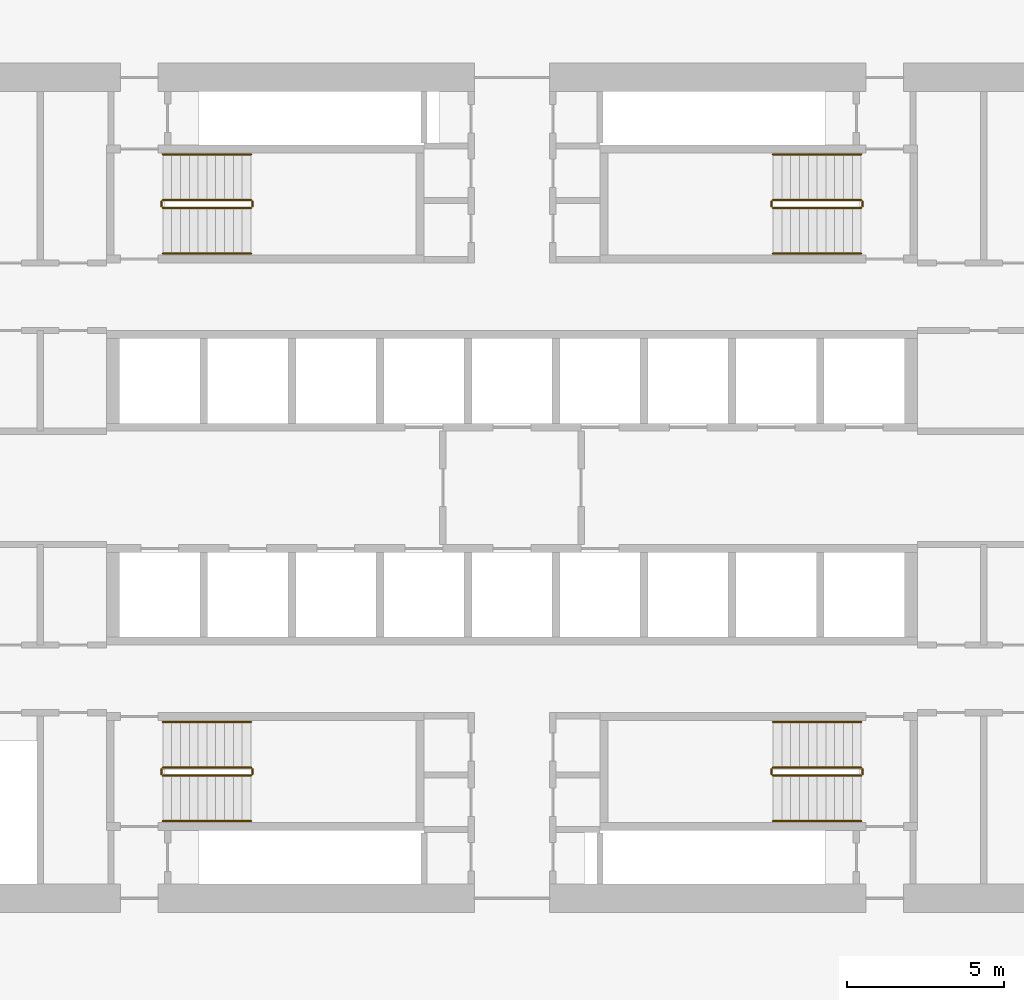
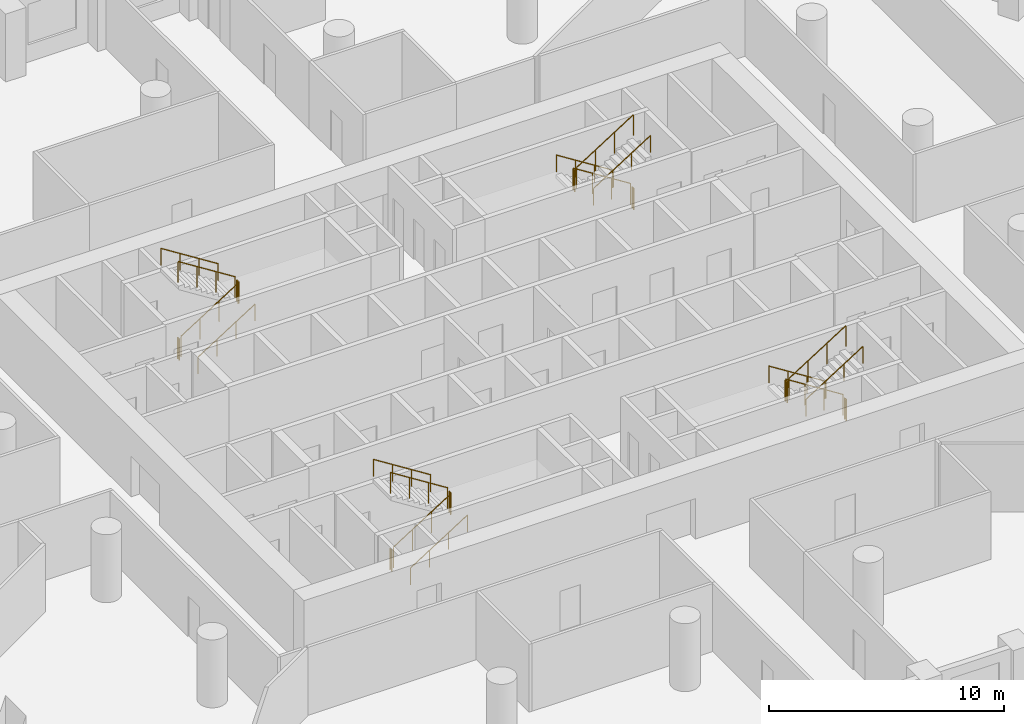
# One storey, part 10 of 10: 24 railings.
"""IFC4 building model written with IfcOpenShell, lengths in metres."""

from ifc_helpers import new_model, si_unit, direction, frame, origin, origin_2d, place, context, subcontext, project, spatial, circle, extrude, material, type_object, element, save


model = new_model("IFC4")

# Units and contexts
model_context = context("Model", 3, precision=1e-05, world=origin(), true_north=direction((0.0, 1.0)))
body_context = subcontext(model_context, "Body", "Model", "MODEL_VIEW")
ifc_project = project(units=[si_unit("LENGTHUNIT", "METRE"), si_unit("AREAUNIT", "SQUARE_METRE"), si_unit("VOLUMEUNIT", "CUBIC_METRE"), si_unit("PLANEANGLEUNIT", "RADIAN"), si_unit("MASSUNIT", "GRAM", prefix="KILO")], contexts=[model_context])

# Site, building, storey
site_placement = place(None, origin())
site = spatial("IfcSite", under=ifc_project, at=site_placement, CompositionType="ELEMENT")
building_placement = place(site_placement, origin())
building = spatial("IfcBuilding", under=site, at=building_placement, Name="Dhurran Vertical Campus", CompositionType="ELEMENT")
storey_placement = place(building_placement, frame((0.0, 0.0, 108.60009765625)))
storey = spatial("IfcBuildingStorey", under=building, at=storey_placement, Name="L26", CompositionType="ELEMENT", Elevation=108.60009765625)

# Railings
ifc_material_1 = material(Name="Stainless steel balustrade", Category="steel")
railing_type_1 = type_object("IfcRailingType", Name="co-RL-GUARD-1100", PredefinedType="GUARDRAIL", material=ifc_material_1)
railing_1_placement = place(storey_placement, frame((-11.10009765625, 8.89990234375, 0.17724609375)))
element("IfcRailing", 1, at=railing_1_placement, inside=storey, type_object=railing_type_1, Name="L26 ST1 stair guard 1", PredefinedType="GUARDRAIL", context=body_context, shape_type="SweptSolid", body=[
    extrude(circle(Radius=0.02392578125, at=origin_2d()), frame((0.0, 0.0, 1.076171875), z_axis=(0.844908973607, 0.0, 0.534910110503), x_axis=(0.0, 1.0, 0.0)), (0.0, 0.0, 1.0), 3.31396484375),
    extrude(circle(Radius=0.02099609375, at=origin_2d()), origin(), (0.0, 0.0, 1.0), 1.052001953125),
    extrude(circle(Radius=0.02099609375, at=origin_2d()), frame((0.933349609375, 0.0, 0.5908203125)), (0.0, 0.0, 1.0), 1.052001953125),
    extrude(circle(Radius=0.02099609375, at=origin_2d()), frame((1.86669921875, 0.0, 1.181884765625)), (0.0, 0.0, 1.0), 1.052001953125),
    extrude(circle(Radius=0.02099609375, at=origin_2d()), frame((2.800048828125, 0.0, 1.772705078125)), (0.0, 0.0, 1.0), 1.052001953125),
])
railing_2_placement = place(storey_placement, frame((-8.25, 8.949951171875, 1.949951171875)))
element("IfcRailing", 2, at=railing_2_placement, inside=storey, type_object=railing_type_1, Name="L26 ST1 stair guard 2", PredefinedType="GUARDRAIL", context=body_context, shape_type="SweptSolid", body=[
    extrude(circle(Radius=0.02392578125, at=origin_2d()), frame((0.0, 0.0, 1.076171875), z_axis=(0.0, 1.0, 0.0), x_axis=(-1.0, 0.0, 0.0)), (0.0, 0.0, 1.0), 0.150146484375),
    extrude(circle(Radius=0.02099609375, at=origin_2d()), origin(), (0.0, 0.0, 1.0), 1.052001953125),
    extrude(circle(Radius=0.02099609375, at=origin_2d()), frame((0.0, 0.150146484375, 0.0)), (0.0, 0.0, 1.0), 1.052001953125),
])
railing_3_placement = place(storey_placement, frame((-8.300048828125, 9.14990234375, 2.127197265625)))
element("IfcRailing", 3, at=railing_3_placement, inside=storey, type_object=railing_type_1, Name="L26 ST1 stair guard 3", PredefinedType="GUARDRAIL", context=body_context, shape_type="SweptSolid", body=[
    extrude(circle(Radius=0.02392578125, at=origin_2d()), frame((0.0, 0.0, 1.076171875), z_axis=(-0.844908973607, 0.0, 0.534910110503), x_axis=(0.0, -1.0, 0.0)), (0.0, 0.0, 1.0), 3.31396484375),
    extrude(circle(Radius=0.02099609375, at=origin_2d()), origin(), (0.0, 0.0, 1.0), 1.052001953125),
    extrude(circle(Radius=0.02099609375, at=origin_2d()), frame((-0.933349609375, 0.0, 0.5908203125)), (0.0, 0.0, 1.0), 1.052001953125),
    extrude(circle(Radius=0.02099609375, at=origin_2d()), frame((-1.86669921875, 0.0, 1.181884765625)), (0.0, 0.0, 1.0), 1.052001953125),
    extrude(circle(Radius=0.02099609375, at=origin_2d()), frame((-2.800048828125, 0.0, 1.772705078125)), (0.0, 0.0, 1.0), 1.052001953125),
])
railing_4_placement = place(storey_placement, frame((-11.14990234375, 8.949951171875, 0.0)))
element("IfcRailing", 4, at=railing_4_placement, inside=storey, type_object=railing_type_1, Name="L26 ST1 stair guard 4", PredefinedType="GUARDRAIL", context=body_context, shape_type="SweptSolid", body=[
    extrude(circle(Radius=0.02392578125, at=origin_2d()), frame((0.0, 0.0, 1.076171875), z_axis=(0.0, 1.0, 0.0), x_axis=(-1.0, 0.0, 0.0)), (0.0, 0.0, 1.0), 0.150146484375),
    extrude(circle(Radius=0.02099609375, at=origin_2d()), origin(), (0.0, 0.0, 1.0), 1.052001953125),
    extrude(circle(Radius=0.02099609375, at=origin_2d()), frame((0.0, 0.150146484375, 0.0)), (0.0, 0.0, 1.0), 1.052001953125),
])
railing_5_placement = place(storey_placement, frame((11.10009765625, 9.14990234375, 0.17724609375)))
element("IfcRailing", 5, at=railing_5_placement, inside=storey, type_object=railing_type_1, Name="L26 ST2 stair guard 1", PredefinedType="GUARDRAIL", context=body_context, shape_type="SweptSolid", body=[
    extrude(circle(Radius=0.02392578125, at=origin_2d()), frame((0.0, 0.0, 1.076171875), z_axis=(-0.844908973607, 0.0, 0.534910110503), x_axis=(0.0, -1.0, 0.0)), (0.0, 0.0, 1.0), 3.31396484375),
    extrude(circle(Radius=0.02099609375, at=origin_2d()), origin(), (0.0, 0.0, 1.0), 1.052001953125),
    extrude(circle(Radius=0.02099609375, at=origin_2d()), frame((-0.933349609375, 0.0, 0.5908203125)), (0.0, 0.0, 1.0), 1.052001953125),
    extrude(circle(Radius=0.02099609375, at=origin_2d()), frame((-1.86669921875, 0.0, 1.181884765625)), (0.0, 0.0, 1.0), 1.052001953125),
    extrude(circle(Radius=0.02099609375, at=origin_2d()), frame((-2.800048828125, 0.0, 1.772705078125)), (0.0, 0.0, 1.0), 1.052001953125),
])
railing_6_placement = place(storey_placement, frame((8.25, 9.10009765625, 1.949951171875)))
element("IfcRailing", 6, at=railing_6_placement, inside=storey, type_object=railing_type_1, Name="L26 ST2 stair guard 2", PredefinedType="GUARDRAIL", context=body_context, shape_type="SweptSolid", body=[
    extrude(circle(Radius=0.02392578125, at=origin_2d()), frame((0.0, 0.0, 1.076171875), z_axis=(0.0, -1.0, 0.0), x_axis=(1.0, 0.0, 0.0)), (0.0, 0.0, 1.0), 0.150146484375),
    extrude(circle(Radius=0.02099609375, at=origin_2d()), origin(), (0.0, 0.0, 1.0), 1.052001953125),
    extrude(circle(Radius=0.02099609375, at=origin_2d()), frame((0.0, -0.150146484375, 0.0)), (0.0, 0.0, 1.0), 1.052001953125),
])
railing_7_placement = place(storey_placement, frame((8.300048828125, 8.89990234375, 2.127197265625)))
element("IfcRailing", 7, at=railing_7_placement, inside=storey, type_object=railing_type_1, Name="L26 ST2 stair guard 3", PredefinedType="GUARDRAIL", context=body_context, shape_type="SweptSolid", body=[
    extrude(circle(Radius=0.02392578125, at=origin_2d()), frame((0.0, 0.0, 1.076171875), z_axis=(0.844908973607, 0.0, 0.534910110503), x_axis=(0.0, 1.0, 0.0)), (0.0, 0.0, 1.0), 3.31396484375),
    extrude(circle(Radius=0.02099609375, at=origin_2d()), origin(), (0.0, 0.0, 1.0), 1.052001953125),
    extrude(circle(Radius=0.02099609375, at=origin_2d()), frame((0.933349609375, 0.0, 0.5908203125)), (0.0, 0.0, 1.0), 1.052001953125),
    extrude(circle(Radius=0.02099609375, at=origin_2d()), frame((1.86669921875, 0.0, 1.181884765625)), (0.0, 0.0, 1.0), 1.052001953125),
    extrude(circle(Radius=0.02099609375, at=origin_2d()), frame((2.800048828125, 0.0, 1.772705078125)), (0.0, 0.0, 1.0), 1.052001953125),
])
railing_8_placement = place(storey_placement, frame((11.14990234375, 9.10009765625, 0.0)))
element("IfcRailing", 8, at=railing_8_placement, inside=storey, type_object=railing_type_1, Name="L26 ST2 stair guard 4", PredefinedType="GUARDRAIL", context=body_context, shape_type="SweptSolid", body=[
    extrude(circle(Radius=0.02392578125, at=origin_2d()), frame((0.0, 0.0, 1.076171875), z_axis=(0.0, -1.0, 0.0), x_axis=(1.0, 0.0, 0.0)), (0.0, 0.0, 1.0), 0.150146484375),
    extrude(circle(Radius=0.02099609375, at=origin_2d()), origin(), (0.0, 0.0, 1.0), 1.052001953125),
    extrude(circle(Radius=0.02099609375, at=origin_2d()), frame((0.0, -0.150146484375, 0.0)), (0.0, 0.0, 1.0), 1.052001953125),
])
railing_9_placement = place(storey_placement, frame((-11.10009765625, -9.14990234375, 0.17724609375)))
element("IfcRailing", 9, at=railing_9_placement, inside=storey, type_object=railing_type_1, Name="L26 ST3 stair guard 1", PredefinedType="GUARDRAIL", context=body_context, shape_type="SweptSolid", body=[
    extrude(circle(Radius=0.02392578125, at=origin_2d()), frame((0.0, 0.0, 1.076171875), z_axis=(0.844908973607, 0.0, 0.534910110503), x_axis=(0.0, 1.0, 0.0)), (0.0, 0.0, 1.0), 3.31396484375),
    extrude(circle(Radius=0.02099609375, at=origin_2d()), origin(), (0.0, 0.0, 1.0), 1.052001953125),
    extrude(circle(Radius=0.02099609375, at=origin_2d()), frame((0.933349609375, 0.0, 0.5908203125)), (0.0, 0.0, 1.0), 1.052001953125),
    extrude(circle(Radius=0.02099609375, at=origin_2d()), frame((1.86669921875, 0.0, 1.181884765625)), (0.0, 0.0, 1.0), 1.052001953125),
    extrude(circle(Radius=0.02099609375, at=origin_2d()), frame((2.800048828125, 0.0, 1.772705078125)), (0.0, 0.0, 1.0), 1.052001953125),
])
railing_10_placement = place(storey_placement, frame((-8.25, -9.10009765625, 1.949951171875)))
element("IfcRailing", 10, at=railing_10_placement, inside=storey, type_object=railing_type_1, Name="L26 ST3 stair guard 2", PredefinedType="GUARDRAIL", context=body_context, shape_type="SweptSolid", body=[
    extrude(circle(Radius=0.02392578125, at=origin_2d()), frame((0.0, 0.0, 1.076171875), z_axis=(0.0, 1.0, 0.0), x_axis=(-1.0, 0.0, 0.0)), (0.0, 0.0, 1.0), 0.150146484375),
    extrude(circle(Radius=0.02099609375, at=origin_2d()), origin(), (0.0, 0.0, 1.0), 1.052001953125),
    extrude(circle(Radius=0.02099609375, at=origin_2d()), frame((0.0, 0.150146484375, 0.0)), (0.0, 0.0, 1.0), 1.052001953125),
])
railing_11_placement = place(storey_placement, frame((-8.300048828125, -8.89990234375, 2.127197265625)))
element("IfcRailing", 11, at=railing_11_placement, inside=storey, type_object=railing_type_1, Name="L26 ST3 stair guard 3", PredefinedType="GUARDRAIL", context=body_context, shape_type="SweptSolid", body=[
    extrude(circle(Radius=0.02392578125, at=origin_2d()), frame((0.0, 0.0, 1.076171875), z_axis=(-0.844908973607, 0.0, 0.534910110503), x_axis=(0.0, -1.0, 0.0)), (0.0, 0.0, 1.0), 3.31396484375),
    extrude(circle(Radius=0.02099609375, at=origin_2d()), origin(), (0.0, 0.0, 1.0), 1.052001953125),
    extrude(circle(Radius=0.02099609375, at=origin_2d()), frame((-0.933349609375, 0.0, 0.5908203125)), (0.0, 0.0, 1.0), 1.052001953125),
    extrude(circle(Radius=0.02099609375, at=origin_2d()), frame((-1.86669921875, 0.0, 1.181884765625)), (0.0, 0.0, 1.0), 1.052001953125),
    extrude(circle(Radius=0.02099609375, at=origin_2d()), frame((-2.800048828125, 0.0, 1.772705078125)), (0.0, 0.0, 1.0), 1.052001953125),
])
railing_12_placement = place(storey_placement, frame((-11.14990234375, -9.10009765625, 0.0)))
element("IfcRailing", 12, at=railing_12_placement, inside=storey, type_object=railing_type_1, Name="L26 ST3 stair guard 4", PredefinedType="GUARDRAIL", context=body_context, shape_type="SweptSolid", body=[
    extrude(circle(Radius=0.02392578125, at=origin_2d()), frame((0.0, 0.0, 1.076171875), z_axis=(0.0, 1.0, 0.0), x_axis=(-1.0, 0.0, 0.0)), (0.0, 0.0, 1.0), 0.150146484375),
    extrude(circle(Radius=0.02099609375, at=origin_2d()), origin(), (0.0, 0.0, 1.0), 1.052001953125),
    extrude(circle(Radius=0.02099609375, at=origin_2d()), frame((0.0, 0.150146484375, 0.0)), (0.0, 0.0, 1.0), 1.052001953125),
])
railing_13_placement = place(storey_placement, frame((11.10009765625, -8.89990234375, 0.17724609375)))
element("IfcRailing", 13, at=railing_13_placement, inside=storey, type_object=railing_type_1, Name="L26 ST4 stair guard 1", PredefinedType="GUARDRAIL", context=body_context, shape_type="SweptSolid", body=[
    extrude(circle(Radius=0.02392578125, at=origin_2d()), frame((0.0, 0.0, 1.076171875), z_axis=(-0.844908973607, 0.0, 0.534910110503), x_axis=(0.0, -1.0, 0.0)), (0.0, 0.0, 1.0), 3.31396484375),
    extrude(circle(Radius=0.02099609375, at=origin_2d()), origin(), (0.0, 0.0, 1.0), 1.052001953125),
    extrude(circle(Radius=0.02099609375, at=origin_2d()), frame((-0.933349609375, 0.0, 0.5908203125)), (0.0, 0.0, 1.0), 1.052001953125),
    extrude(circle(Radius=0.02099609375, at=origin_2d()), frame((-1.86669921875, 0.0, 1.181884765625)), (0.0, 0.0, 1.0), 1.052001953125),
    extrude(circle(Radius=0.02099609375, at=origin_2d()), frame((-2.800048828125, 0.0, 1.772705078125)), (0.0, 0.0, 1.0), 1.052001953125),
])
railing_14_placement = place(storey_placement, frame((8.25, -8.949951171875, 1.949951171875)))
element("IfcRailing", 14, at=railing_14_placement, inside=storey, type_object=railing_type_1, Name="L26 ST4 stair guard 2", PredefinedType="GUARDRAIL", context=body_context, shape_type="SweptSolid", body=[
    extrude(circle(Radius=0.02392578125, at=origin_2d()), frame((0.0, 0.0, 1.076171875), z_axis=(0.0, -1.0, 0.0), x_axis=(1.0, 0.0, 0.0)), (0.0, 0.0, 1.0), 0.150146484375),
    extrude(circle(Radius=0.02099609375, at=origin_2d()), origin(), (0.0, 0.0, 1.0), 1.052001953125),
    extrude(circle(Radius=0.02099609375, at=origin_2d()), frame((0.0, -0.150146484375, 0.0)), (0.0, 0.0, 1.0), 1.052001953125),
])
railing_15_placement = place(storey_placement, frame((8.300048828125, -9.14990234375, 2.127197265625)))
element("IfcRailing", 15, at=railing_15_placement, inside=storey, type_object=railing_type_1, Name="L26 ST4 stair guard 3", PredefinedType="GUARDRAIL", context=body_context, shape_type="SweptSolid", body=[
    extrude(circle(Radius=0.02392578125, at=origin_2d()), frame((0.0, 0.0, 1.076171875), z_axis=(0.844908973607, 0.0, 0.534910110503), x_axis=(0.0, 1.0, 0.0)), (0.0, 0.0, 1.0), 3.31396484375),
    extrude(circle(Radius=0.02099609375, at=origin_2d()), origin(), (0.0, 0.0, 1.0), 1.052001953125),
    extrude(circle(Radius=0.02099609375, at=origin_2d()), frame((0.933349609375, 0.0, 0.5908203125)), (0.0, 0.0, 1.0), 1.052001953125),
    extrude(circle(Radius=0.02099609375, at=origin_2d()), frame((1.86669921875, 0.0, 1.181884765625)), (0.0, 0.0, 1.0), 1.052001953125),
    extrude(circle(Radius=0.02099609375, at=origin_2d()), frame((2.800048828125, 0.0, 1.772705078125)), (0.0, 0.0, 1.0), 1.052001953125),
])
railing_16_placement = place(storey_placement, frame((11.14990234375, -8.949951171875, 0.0)))
element("IfcRailing", 16, at=railing_16_placement, inside=storey, type_object=railing_type_1, Name="L26 ST4 stair guard 4", PredefinedType="GUARDRAIL", context=body_context, shape_type="SweptSolid", body=[
    extrude(circle(Radius=0.02392578125, at=origin_2d()), frame((0.0, 0.0, 1.076171875), z_axis=(0.0, -1.0, 0.0), x_axis=(1.0, 0.0, 0.0)), (0.0, 0.0, 1.0), 0.150146484375),
    extrude(circle(Radius=0.02099609375, at=origin_2d()), origin(), (0.0, 0.0, 1.0), 1.052001953125),
    extrude(circle(Radius=0.02099609375, at=origin_2d()), frame((0.0, -0.150146484375, 0.0)), (0.0, 0.0, 1.0), 1.052001953125),
])
ifc_material_2 = material(Name="Stainless steel handrail", Category="steel")
railing_type_2 = type_object("IfcRailingType", Name="co-RL-HANDRAIL-900", PredefinedType="HANDRAIL", material=ifc_material_2)
railing_17_placement = place(storey_placement, frame((-11.10009765625, 7.449951171875, 0.17724609375)))
element("IfcRailing", 17, at=railing_17_placement, inside=storey, type_object=railing_type_2, Name="L26 ST1 stair handrail 1", PredefinedType="HANDRAIL", context=body_context, shape_type="SweptSolid", body=[
    extrude(circle(Radius=0.02392578125, at=origin_2d()), frame((0.0, 0.0, 0.8759765625), z_axis=(0.844908973607, 0.0, 0.534910110503), x_axis=(0.0, 1.0, 0.0)), (0.0, 0.0, 1.0), 3.31396484375),
    extrude(circle(Radius=0.02099609375, at=origin_2d()), origin(), (0.0, 0.0, 1.0), 0.851806640625),
    extrude(circle(Radius=0.02099609375, at=origin_2d()), frame((0.933349609375, 0.0, 0.5908203125)), (0.0, 0.0, 1.0), 0.851806640625),
    extrude(circle(Radius=0.02099609375, at=origin_2d()), frame((1.86669921875, 0.0, 1.181884765625)), (0.0, 0.0, 1.0), 0.851806640625),
    extrude(circle(Radius=0.02099609375, at=origin_2d()), frame((2.800048828125, 0.0, 1.772705078125)), (0.0, 0.0, 1.0), 0.851806640625),
])
for number, where, name in (
    (18, (-8.300048828125, 10.60009765625, 2.127197265625), "L26 ST1 stair handrail 2"),
    (19, (11.10009765625, 10.60009765625, 0.17724609375), "L26 ST2 stair handrail 1"),
):
    element("IfcRailing", number, at=place(storey_placement, frame(where)), inside=storey, type_object=railing_type_2, Name=name, PredefinedType="HANDRAIL", context=body_context, shape_type="SweptSolid", body=[
        extrude(circle(Radius=0.02392578125, at=origin_2d()), frame((0.0, 0.0, 0.8759765625), z_axis=(-0.844908973607, 0.0, 0.534910110503), x_axis=(0.0, -1.0, 0.0)), (0.0, 0.0, 1.0), 3.31396484375),
        extrude(circle(Radius=0.02099609375, at=origin_2d()), origin(), (0.0, 0.0, 1.0), 0.851806640625),
        extrude(circle(Radius=0.02099609375, at=origin_2d()), frame((-0.933349609375, 0.0, 0.5908203125)), (0.0, 0.0, 1.0), 0.851806640625),
        extrude(circle(Radius=0.02099609375, at=origin_2d()), frame((-1.86669921875, 0.0, 1.181884765625)), (0.0, 0.0, 1.0), 0.851806640625),
        extrude(circle(Radius=0.02099609375, at=origin_2d()), frame((-2.800048828125, 0.0, 1.772705078125)), (0.0, 0.0, 1.0), 0.851806640625),
    ])
for number, where, name in (
    (20, (8.300048828125, 7.449951171875, 2.127197265625), "L26 ST2 stair handrail 2"),
    (21, (-11.10009765625, -10.60009765625, 0.17724609375), "L26 ST3 stair handrail 1"),
):
    element("IfcRailing", number, at=place(storey_placement, frame(where)), inside=storey, type_object=railing_type_2, Name=name, PredefinedType="HANDRAIL", context=body_context, shape_type="SweptSolid", body=[
        extrude(circle(Radius=0.02392578125, at=origin_2d()), frame((0.0, 0.0, 0.8759765625), z_axis=(0.844908973607, 0.0, 0.534910110503), x_axis=(0.0, 1.0, 0.0)), (0.0, 0.0, 1.0), 3.31396484375),
        extrude(circle(Radius=0.02099609375, at=origin_2d()), origin(), (0.0, 0.0, 1.0), 0.851806640625),
        extrude(circle(Radius=0.02099609375, at=origin_2d()), frame((0.933349609375, 0.0, 0.5908203125)), (0.0, 0.0, 1.0), 0.851806640625),
        extrude(circle(Radius=0.02099609375, at=origin_2d()), frame((1.86669921875, 0.0, 1.181884765625)), (0.0, 0.0, 1.0), 0.851806640625),
        extrude(circle(Radius=0.02099609375, at=origin_2d()), frame((2.800048828125, 0.0, 1.772705078125)), (0.0, 0.0, 1.0), 0.851806640625),
    ])
for number, where, name in (
    (22, (-8.300048828125, -7.449951171875, 2.127197265625), "L26 ST3 stair handrail 2"),
    (23, (11.10009765625, -7.449951171875, 0.17724609375), "L26 ST4 stair handrail 1"),
):
    element("IfcRailing", number, at=place(storey_placement, frame(where)), inside=storey, type_object=railing_type_2, Name=name, PredefinedType="HANDRAIL", context=body_context, shape_type="SweptSolid", body=[
        extrude(circle(Radius=0.02392578125, at=origin_2d()), frame((0.0, 0.0, 0.8759765625), z_axis=(-0.844908973607, 0.0, 0.534910110503), x_axis=(0.0, -1.0, 0.0)), (0.0, 0.0, 1.0), 3.31396484375),
        extrude(circle(Radius=0.02099609375, at=origin_2d()), origin(), (0.0, 0.0, 1.0), 0.851806640625),
        extrude(circle(Radius=0.02099609375, at=origin_2d()), frame((-0.933349609375, 0.0, 0.5908203125)), (0.0, 0.0, 1.0), 0.851806640625),
        extrude(circle(Radius=0.02099609375, at=origin_2d()), frame((-1.86669921875, 0.0, 1.181884765625)), (0.0, 0.0, 1.0), 0.851806640625),
        extrude(circle(Radius=0.02099609375, at=origin_2d()), frame((-2.800048828125, 0.0, 1.772705078125)), (0.0, 0.0, 1.0), 0.851806640625),
    ])
railing_18_placement = place(storey_placement, frame((8.300048828125, -10.60009765625, 2.127197265625)))
element("IfcRailing", 24, at=railing_18_placement, inside=storey, type_object=railing_type_2, Name="L26 ST4 stair handrail 2", PredefinedType="HANDRAIL", context=body_context, shape_type="SweptSolid", body=[
    extrude(circle(Radius=0.02392578125, at=origin_2d()), frame((0.0, 0.0, 0.8759765625), z_axis=(0.844908973607, 0.0, 0.534910110503), x_axis=(0.0, 1.0, 0.0)), (0.0, 0.0, 1.0), 3.31396484375),
    extrude(circle(Radius=0.02099609375, at=origin_2d()), origin(), (0.0, 0.0, 1.0), 0.851806640625),
    extrude(circle(Radius=0.02099609375, at=origin_2d()), frame((0.933349609375, 0.0, 0.5908203125)), (0.0, 0.0, 1.0), 0.851806640625),
    extrude(circle(Radius=0.02099609375, at=origin_2d()), frame((1.86669921875, 0.0, 1.181884765625)), (0.0, 0.0, 1.0), 0.851806640625),
    extrude(circle(Radius=0.02099609375, at=origin_2d()), frame((2.800048828125, 0.0, 1.772705078125)), (0.0, 0.0, 1.0), 0.851806640625),
])

save(model, "model.ifc")
